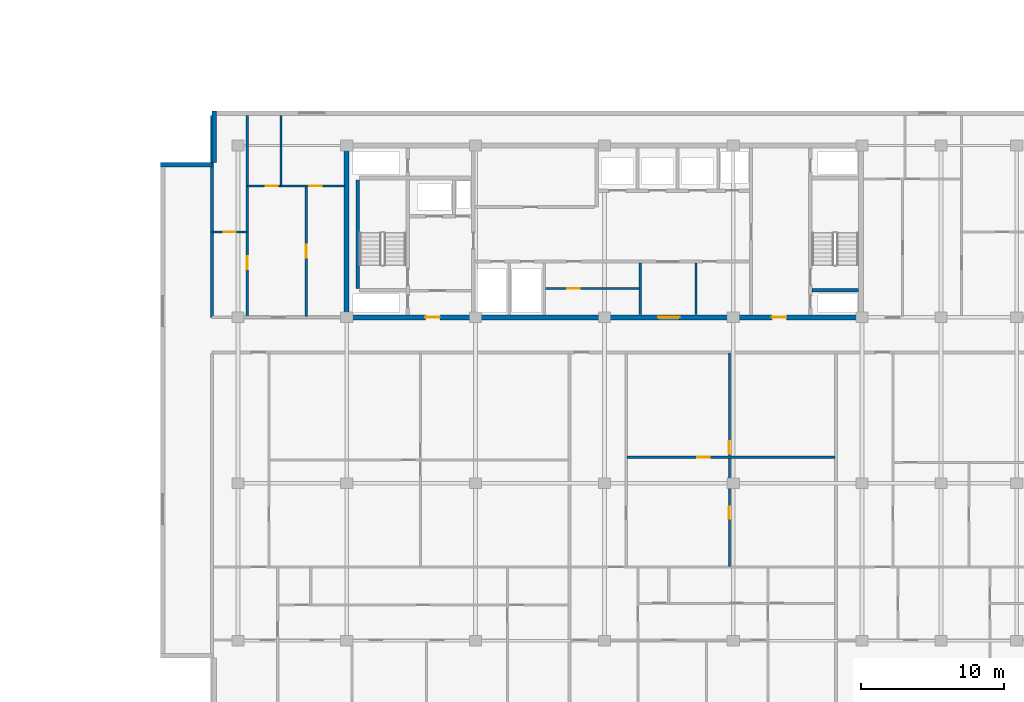
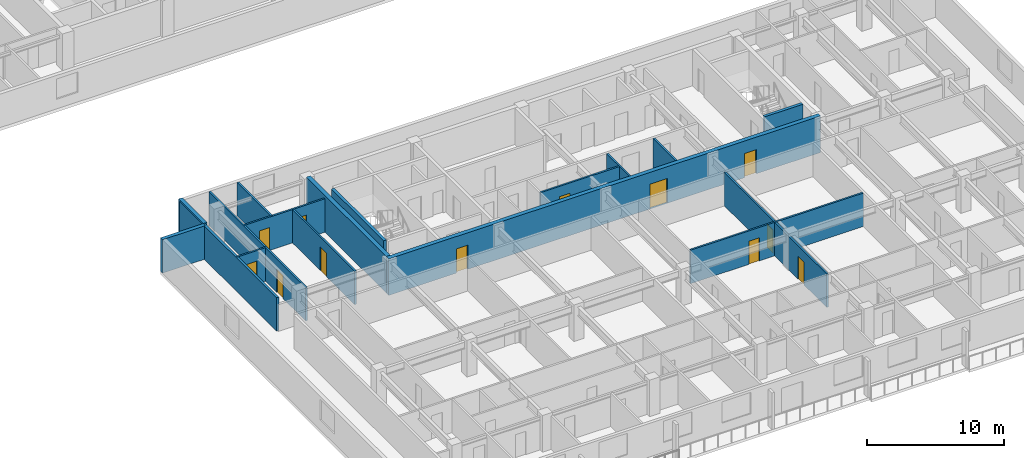
# One storey, part 6 of 22: 17 walls, 12 doors, 12 openings.
"""IFC4 building model written with IfcOpenShell, lengths in metres."""

import ifcopenshell
import ifcopenshell.guid

model = None  # the IFC model being written
_history = None  # IfcOwnerHistory: only IFC2X3 demands one
_inside = {}  # id of a spatial element -> (the spatial element, [elements in it])
_under = {}  # id of a project, library or spatial element -> (it, [spatial elements below it])
_declared = {}  # id of a project -> (the project, [libraries it declares])
_typed = {}  # id of a type object -> (the type object, [elements of that type])
_made_of = {}  # id of a material, layer set ... -> (it, [elements and type objects made of it])


def new_model(schema):
    """Start an empty IFC model of exactly this schema.

    Asked for "IFC4X3", IfcOpenShell would pick the latest addendum, in which some entities
    have other attributes; the version numbers below select the first issue.
    IFC2X3 requires an IfcOwnerHistory on every rooted entity: one is made here for all.
    """
    global model, _history
    if schema == "IFC4X3":
        model = ifcopenshell.file(schema_version=(4, 3, 0, 0))
    else:
        model = ifcopenshell.file(schema=schema)
    _inside.clear()
    _under.clear()
    _declared.clear()
    _typed.clear()
    _made_of.clear()
    _history = None
    if model.schema == "IFC2X3":
        org = make("IfcOrganization", Name="unknown")
        user = make(
            "IfcPersonAndOrganization",
            ThePerson=make("IfcPerson", FamilyName="unknown"),
            TheOrganization=org,
        )
        app = make(
            "IfcApplication",
            ApplicationDeveloper=org,
            Version="unknown",
            ApplicationFullName="unknown",
            ApplicationIdentifier="unknown",
        )
        _history = make(
            "IfcOwnerHistory",
            OwningUser=user,
            OwningApplication=app,
            ChangeAction="ADDED",
            CreationDate=0,
        )
    return model


def make(cls, **values):
    """One entity of the class cls with the attributes given. An attribute that is None is left unset."""
    return model.create_entity(
        cls, **{name: value for name, value in values.items() if value is not None}
    )


def rooted(cls, **values):
    """An entity with a GlobalId (a new one), such as an element, a storey or a relation."""
    return make(cls, GlobalId=ifcopenshell.guid.new(), OwnerHistory=_history, **values)


def si_unit(unit_type, name, prefix=None):
    """IfcSIUnit, for example si_unit("LENGTHUNIT", "METRE", prefix="MILLI")."""
    return make("IfcSIUnit", UnitType=unit_type, Prefix=prefix, Name=name)


def assignment(units):
    """IfcUnitAssignment: the units of a project."""
    return None if units is None else make("IfcUnitAssignment", Units=units)


def point(xyz):
    """IfcCartesianPoint."""
    return None if xyz is None else make("IfcCartesianPoint", Coordinates=xyz)


def direction(xyz):
    """IfcDirection."""
    return None if xyz is None else make("IfcDirection", DirectionRatios=xyz)


def frame(location, z_axis=None, x_axis=None):
    """IfcAxis2Placement3D, a coordinate frame: its origin and axes. An axis left out is left unset."""
    return make(
        "IfcAxis2Placement3D",
        Location=point(location),
        Axis=direction(z_axis),
        RefDirection=direction(x_axis),
    )


def frame_2d(location, x_axis=None):
    """IfcAxis2Placement2D, a coordinate frame in the plane: its origin and x axis."""
    return make(
        "IfcAxis2Placement2D", Location=point(location), RefDirection=direction(x_axis)
    )


def origin():
    """The frame at (0, 0, 0) with its axes left unset."""
    return frame((0.0, 0.0, 0.0))


def place(relative_to, where):
    """IfcLocalPlacement: puts the frame where relative to a parent placement (None: the world)."""
    return make(
        "IfcLocalPlacement", PlacementRelTo=relative_to, RelativePlacement=where
    )


def context(
    kind, dimensions, precision=None, world=None, true_north=None, identifier=None
):
    """IfcGeometricRepresentationContext, for example the 3D "Model" context."""
    return make(
        "IfcGeometricRepresentationContext",
        ContextIdentifier=identifier,
        ContextType=kind,
        CoordinateSpaceDimension=dimensions,
        Precision=precision,
        WorldCoordinateSystem=world,
        TrueNorth=true_north,
    )


def subcontext(parent, identifier, kind, view, scale=None):
    """IfcGeometricRepresentationSubContext, for example "Body" below "Model"."""
    return make(
        "IfcGeometricRepresentationSubContext",
        ContextIdentifier=identifier,
        ContextType=kind,
        ParentContext=parent,
        TargetScale=scale,
        TargetView=view,
    )


def project(units=None, contexts=None):
    """IfcProject with its units and contexts."""
    return rooted(
        "IfcProject",
        Name="project",
        RepresentationContexts=contexts,
        UnitsInContext=assignment(units),
    )


def spatial(cls, under=None, at=None, **own):
    """A site, building, storey or space (cls), placed at a placement, below another one or the project."""
    s = rooted(cls, ObjectPlacement=at, **own)
    if under is not None:
        _under.setdefault(under.id(), (under, []))[1].append(s)
    return s


def profile(cls, at=None, kind="AREA", **sizes):
    """A parametric profile (cls). Its sizes go by their IFC names, for example OverallWidth=200.0."""
    return make(cls, ProfileType=kind, Position=at, **sizes)


def rectangle(**sizes):
    """IfcRectangleProfileDef."""
    return profile("IfcRectangleProfileDef", **sizes)


def extrude(swept, where, along, depth):
    """IfcExtrudedAreaSolid: the profile swept, set in the frame where, extruded along a direction by depth."""
    return make(
        "IfcExtrudedAreaSolid",
        SweptArea=swept,
        Position=where,
        ExtrudedDirection=direction(along),
        Depth=depth,
    )


def shape(context_of_items, identifier, shape_type, items):
    """IfcShapeRepresentation: the items that make up one representation, for example the "Body"."""
    return make(
        "IfcShapeRepresentation",
        ContextOfItems=context_of_items,
        RepresentationIdentifier=identifier,
        RepresentationType=shape_type,
        Items=items,
    )


def material(Name=None, Category=None):
    """IfcMaterial."""
    return make("IfcMaterial", Name=Name, Category=Category)


def layer(
    of_material, thickness, ventilated=None, Name=None, Category=None, Priority=None
):
    """IfcMaterialLayer: one layer of a wall or slab, of a material (None: an air gap)."""
    return make(
        "IfcMaterialLayer",
        Material=of_material,
        LayerThickness=thickness,
        IsVentilated=ventilated,
        Name=Name,
        Category=Category,
        Priority=Priority,
    )


def layer_set(layers, Name=None):
    """IfcMaterialLayerSet."""
    return make("IfcMaterialLayerSet", MaterialLayers=layers, LayerSetName=Name)


def made_of(thing, what):
    """Note that an element or type object is made of a material, layer set ...; save() writes the relation."""
    if what is not None:
        _made_of.setdefault(what.id(), (what, []))[1].append(thing)
    return thing


def type_object(cls, material=None, **own):
    """A type object (cls), such as IfcWallType, which elements share."""
    return made_of(rooted(cls, **own), material)


def element(
    cls,
    number,
    at=None,
    inside=None,
    cuts=None,
    type_object=None,
    material=None,
    context=None,
    identifier="Body",
    shape_type=None,
    held_by="IfcProductDefinitionShape",
    body=None,
    shapes=None,
    **own,
):
    """One element of the class cls, such as IfcWall. Its Tag is "e" and its number.

    at: its placement. inside: the storey or other place that contains it. cuts: it is an
    opening in that element (IfcRelVoidsElement). A single representation is given by context,
    identifier, shape_type and body (its items); several are given by shapes. held_by: the class
    of the entity that holds the representations. save() writes the other relations.
    """
    e = rooted(cls, Tag="e%d" % number, ObjectPlacement=at, **own)
    if body is not None:
        shapes = [shape(context, identifier, shape_type, body)]
    if shapes is not None:
        e.Representation = make(held_by, Representations=shapes)
    if inside is not None:
        _inside.setdefault(inside.id(), (inside, []))[1].append(e)
    if cuts is not None:
        rooted(
            "IfcRelVoidsElement", RelatingBuildingElement=cuts, RelatedOpeningElement=e
        )
    if type_object is not None:
        _typed.setdefault(type_object.id(), (type_object, []))[1].append(e)
    return made_of(e, material)


def fill(opening, filler):
    """IfcRelFillsElement: the door or window that sits in an opening."""
    return rooted(
        "IfcRelFillsElement",
        RelatingOpeningElement=opening,
        RelatedBuildingElement=filler,
    )


def aggregate(whole, parts):
    """IfcRelAggregates: a whole, such as a stair, and the parts it consists of."""
    return rooted("IfcRelAggregates", RelatingObject=whole, RelatedObjects=parts)


def save(model, path):
    """Write the relations noted so far, then the file.

    IfcRelAggregates (storeys below a building ...), IfcRelContainedInSpatialStructure (elements
    in a storey), IfcRelDefinesByType, IfcRelAssociatesMaterial and IfcRelDeclares: one each for
    every whole, place, type object, material and project.
    """
    for whole, parts in _under.values():
        aggregate(whole, parts)
    for where, things in _inside.values():
        rooted(
            "IfcRelContainedInSpatialStructure",
            RelatedElements=things,
            RelatingStructure=where,
        )
    for kind, things in _typed.values():
        rooted("IfcRelDefinesByType", RelatedObjects=things, RelatingType=kind)
    for what, things in _made_of.values():
        rooted("IfcRelAssociatesMaterial", RelatedObjects=things, RelatingMaterial=what)
    for by, libraries in _declared.values():
        rooted("IfcRelDeclares", RelatingContext=by, RelatedDefinitions=libraries)
    model.write(path)


model = new_model("IFC4")

# Units and contexts
model_context = context("Model", 3, precision=1e-05, world=origin(), true_north=direction((0.0, 1.0)))
body_context = subcontext(model_context, "Body", "Model", "MODEL_VIEW")
ifc_project = project(units=[si_unit("LENGTHUNIT", "METRE"), si_unit("AREAUNIT", "SQUARE_METRE"), si_unit("VOLUMEUNIT", "CUBIC_METRE"), si_unit("PLANEANGLEUNIT", "RADIAN"), si_unit("MASSUNIT", "GRAM", prefix="KILO")], contexts=[model_context])

# Site, building, storey
site_placement = place(None, origin())
site = spatial("IfcSite", under=ifc_project, at=site_placement, CompositionType="ELEMENT")
building_placement = place(site_placement, origin())
building = spatial("IfcBuilding", under=site, at=building_placement, Name="Korimba Cascade Residences", CompositionType="ELEMENT")
storey_placement = place(building_placement, frame((0.0, 0.0, 129.550048828125)))
storey = spatial("IfcBuildingStorey", under=building, at=storey_placement, Name="L37", CompositionType="ELEMENT", Elevation=129.550048828125)

# Walls
ifc_material_1 = material(Name="Precast concrete C40/50", Category="concrete")
ifc_layer_1 = layer(ifc_material_1, 0.300048828125)
ifc_layer_set_1 = layer_set([ifc_layer_1], Name="Precast concrete C40/50")
wall_type_1 = type_object("IfcWallType", Name="EW-STONE-300", PredefinedType="STANDARD", material=ifc_layer_set_1)
wall_1_placement = place(storey_placement, frame((72.85009765625, 32.800048828125, 0.0), z_axis=(0.0, 0.0, 1.0), x_axis=(0.0, -1.0, 0.0)))
element("IfcWall", 1, at=wall_1_placement, inside=storey, type_object=wall_type_1, Name="L37 T2 Perimeter Stone Wall E07", PredefinedType="STANDARD", context=body_context, shape_type="SweptSolid", body=[
    extrude(rectangle(XDim=3.60009765625, YDim=0.300048828125, at=frame_2d((1.800048828125, 0.0))), origin(), (0.0, 0.0, 1.0), 2.969970703125),
])
wall_2_placement = place(storey_placement, frame((72.699951171875, 29.050048828125, 0.0), z_axis=(0.0, 0.0, 1.0), x_axis=(-1.0, 0.0, 0.0)))
element("IfcWall", 2, at=wall_2_placement, inside=storey, type_object=wall_type_1, Name="L37 T2 Perimeter Stone Wall E08", PredefinedType="STANDARD", context=body_context, shape_type="SweptSolid", body=[
    extrude(rectangle(XDim=3.599853515625, YDim=0.300048828125, at=frame_2d((1.7998046875, 0.0))), origin(), (0.0, 0.0, 1.0), 2.969970703125),
])
ifc_material_2 = material(Name="Concrete C65/80", Category="concrete")
ifc_layer_2 = layer(ifc_material_2, 0.35009765625)
ifc_layer_set_2 = layer_set([ifc_layer_2], Name="Concrete C65/80")
wall_type_2 = type_object("IfcWallType", Name="WAL-CORE-350", PredefinedType="SHEAR", material=ifc_layer_set_2)
wall_3_placement = place(storey_placement, frame((82.10009765625, 18.574951171875, 0.0), z_axis=(0.0, 0.0, 1.0), x_axis=(0.0, 1.0, 0.0)))
element("IfcWall", 3, at=wall_3_placement, inside=storey, type_object=wall_type_2, Name="L37 Core Shear Wall CW-L37-T2-W", PredefinedType="SHEAR", context=body_context, shape_type="SweptSolid", body=[
    extrude(rectangle(XDim=11.650146484375, YDim=0.35009765625, at=frame_2d((5.8251953125, 0.0))), origin(), (0.0, 0.0, 1.0), 3.25),
])

# Wall, openings, doors
wall_4_placement = place(storey_placement, frame((81.925048828125, 18.39990234375, 0.0), z_axis=(0.0, 0.0, 1.0), x_axis=(1.0, 0.0, 0.0)))
wall_4 = element("IfcWall", 4, at=wall_4_placement, inside=storey, type_object=wall_type_2, Name="L37 Core Shear Wall CW-L37-T2-S", PredefinedType="SHEAR", context=body_context, shape_type="SweptSolid", body=[
    extrude(rectangle(XDim=36.264892578125, YDim=0.35009765625, at=frame_2d((18.13232421875, 0.0))), origin(), (0.0, 0.0, 1.0), 3.25),
])
opening_1_placement = place(wall_4_placement, frame((5.675048828125, 0.0, 0.0)))
opening_1 = element("IfcOpeningElement", 5, at=opening_1_placement, cuts=wall_4, Name="Opening D-FD5", PredefinedType="OPENING", context=body_context, shape_type="SweptSolid", body=[
    extrude(rectangle(XDim=1.0, YDim=2.14990234375, at=frame_2d((0.5, 1.074951171875))), frame((0.0, 0.18505859375, 0.0), z_axis=(0.0, -1.0, 0.0), x_axis=(1.0, 0.0, 0.0)), (0.0, 0.0, 1.0), 0.3701171875),
])
opening_2_placement = place(wall_4_placement, frame((21.925048828125, 0.0, 0.0)))
opening_2 = element("IfcOpeningElement", 6, at=opening_2_placement, cuts=wall_4, Name="Opening D-FD8", PredefinedType="OPENING", context=body_context, shape_type="SweptSolid", body=[
    extrude(rectangle(XDim=1.5, YDim=2.199951171875, at=frame_2d((0.75, 1.10009765625))), frame((0.0, 0.18505859375, 0.0), z_axis=(0.0, -1.0, 0.0), x_axis=(1.0, 0.0, 0.0)), (0.0, 0.0, 1.0), 0.3701171875),
])
opening_3_placement = place(wall_4_placement, frame((29.875, 0.0, 0.0)))
opening_3 = element("IfcOpeningElement", 7, at=opening_3_placement, cuts=wall_4, Name="Opening D-FD5", PredefinedType="OPENING", context=body_context, shape_type="SweptSolid", body=[
    extrude(rectangle(XDim=1.0, YDim=2.14990234375, at=frame_2d((0.5, 1.074951171875))), frame((0.0, 0.18505859375, 0.0), z_axis=(0.0, -1.0, 0.0), x_axis=(1.0, 0.0, 0.0)), (0.0, 0.0, 1.0), 0.3701171875),
])
ifc_material_3 = material(Name="Fire-Rated Acoustic Timber Vestibule Door", Category="wood")
door_type_1 = type_object("IfcDoorType", Name="DR-FD90-1000", OperationType="NOTDEFINED", PredefinedType="DOOR", material=ifc_material_3)
door_1_placement = place(opening_1_placement, origin())
door_1 = element("IfcDoor", 8, at=door_1_placement, inside=storey, type_object=door_type_1, Name="L37 T2 West Core Vestibule Fire Door", OperationType="SINGLE_SWING_RIGHT", OverallHeight=2.14990234375, OverallWidth=1.0, PredefinedType="DOOR", context=body_context, shape_type="SweptSolid", body=[
    extrude(rectangle(XDim=1.0, YDim=2.14990234375, at=frame_2d((0.5, 1.074951171875))), frame((0.0, 0.02490234375, 0.0), z_axis=(0.0, -1.0, 0.0), x_axis=(1.0, 0.0, 0.0)), (0.0, 0.0, 1.0), 0.050048828125),
])
fill(opening_1, door_1)
door_2_placement = place(opening_3_placement, origin())
door_2 = element("IfcDoor", 9, at=door_2_placement, inside=storey, type_object=door_type_1, Name="L37 T2 East Stair Vestibule Fire Door", OperationType="SINGLE_SWING_LEFT", OverallHeight=2.14990234375, OverallWidth=1.0, PredefinedType="DOOR", context=body_context, shape_type="SweptSolid", body=[
    extrude(rectangle(XDim=1.0, YDim=2.14990234375, at=frame_2d((0.5, 1.074951171875))), frame((0.0, 0.02490234375, 0.0), z_axis=(0.0, -1.0, 0.0), x_axis=(1.0, 0.0, 0.0)), (0.0, 0.0, 1.0), 0.050048828125),
])
fill(opening_3, door_2)
ifc_material_4 = material(Name="Fire-Rated Glazed Lift Lobby Double Door", Category="glass")
door_type_2 = type_object("IfcDoorType", Name="DR-FD90-1500", OperationType="NOTDEFINED", PredefinedType="DOOR", material=ifc_material_4)
door_3_placement = place(opening_2_placement, origin())
door_3 = element("IfcDoor", 10, at=door_3_placement, inside=storey, type_object=door_type_2, Name="L37 T2 Lift Lobby Fire Door", OperationType="DOUBLE_DOOR_SINGLE_SWING", OverallHeight=2.199951171875, OverallWidth=1.5, PredefinedType="DOOR", context=body_context, shape_type="SweptSolid", body=[
    extrude(rectangle(XDim=1.5, YDim=2.199951171875, at=frame_2d((0.75, 1.10009765625))), frame((0.0, 0.02490234375, 0.0), z_axis=(0.0, -1.0, 0.0), x_axis=(1.0, 0.0, 0.0)), (0.0, 0.0, 1.0), 0.050048828125),
])
fill(opening_2, door_3)

# Wall
ifc_layer_3 = layer(ifc_material_1, 0.199951171875)
ifc_layer_set_3 = layer_set([ifc_layer_3], Name="Precast concrete C40/50")
wall_type_3 = type_object("IfcWallType", Name="WAL-IT-200", PredefinedType="PARTITIONING", material=ifc_layer_set_3)
wall_5_placement = place(storey_placement, frame((72.699951171875, 18.39990234375, 0.0), z_axis=(0.0, 0.0, 1.0), x_axis=(0.0, 1.0, 0.0)))
element("IfcWall", 11, at=wall_5_placement, inside=storey, type_object=wall_type_3, Name="L37 Partition Wall WAL-L37-T2-FW-WL", PredefinedType="PARTITIONING", context=body_context, shape_type="SweptSolid", body=[
    extrude(rectangle(XDim=14.10009765625, YDim=0.199951171875, at=frame_2d((7.050048828125, 0.0))), origin(), (0.0, 0.0, 1.0), 2.969970703125),
])

# Wall, opening, door
ifc_material_5 = material(Name="Insulated Acoustic Stud Partition", Category="gypsum")
ifc_layer_4 = layer(ifc_material_5, 0.14990234375)
ifc_layer_set_4 = layer_set([ifc_layer_4], Name="Insulated Acoustic Stud Partition")
wall_type_4 = type_object("IfcWallType", Name="WAL-PART-150", PredefinedType="PARTITIONING", material=ifc_layer_set_4)
wall_6_placement = place(storey_placement, frame((95.89990234375, 20.39990234375, 0.0), z_axis=(0.0, 0.0, 1.0), x_axis=(1.0, 0.0, 0.0)))
wall_6 = element("IfcWall", 12, at=wall_6_placement, inside=storey, type_object=wall_type_4, Name="L37 Partition Wall CW-L37-T2-CA2HZ", PredefinedType="PARTITIONING", context=body_context, shape_type="SweptSolid", body=[
    extrude(rectangle(XDim=6.7001953125, YDim=0.14990234375, at=frame_2d((3.35009765625, 0.0))), origin(), (0.0, 0.0, 1.0), 2.969970703125),
])
opening_4_placement = place(wall_6_placement, frame((1.60009765625, 0.0, 0.0)))
opening_4 = element("IfcOpeningElement", 13, at=opening_4_placement, cuts=wall_6, Name="Opening D-IN2", PredefinedType="OPENING", context=body_context, shape_type="SweptSolid", body=[
    extrude(rectangle(XDim=0.8798828125, YDim=2.06005859375, at=frame_2d((0.43994140625, 1.030029296875))), frame((0.0, 0.0849609375, 0.0), z_axis=(0.0, -1.0, 0.0), x_axis=(1.0, 0.0, 0.0)), (0.0, 0.0, 1.0), 0.169921875),
])
ifc_material_6 = material(Name="Acoustic Timber Bedroom Door", Category="wood")
door_type_3 = type_object("IfcDoorType", Name="DR-INT-880", OperationType="NOTDEFINED", PredefinedType="DOOR", material=ifc_material_6)
door_4_placement = place(opening_4_placement, origin())
door_4 = element("IfcDoor", 14, at=door_4_placement, inside=storey, type_object=door_type_3, Name="L37 T2 Pram Store Door", OperationType="SINGLE_SWING_RIGHT", OverallHeight=2.06005859375, OverallWidth=0.8798828125, PredefinedType="DOOR", context=body_context, shape_type="SweptSolid", body=[
    extrude(rectangle(XDim=0.8798828125, YDim=2.06005859375, at=frame_2d((0.43994140625, 1.030029296875))), frame((0.0, 0.02490234375, 0.0), z_axis=(0.0, -1.0, 0.0), x_axis=(1.0, 0.0, 0.0)), (0.0, 0.0, 1.0), 0.050048828125),
])
fill(opening_4, door_4)

# Walls
for number, where, z_axis, x_axis, name in (
    (15, (102.60009765625, 18.60009765625, 0.0), (0.0, 0.0, 1.0), (0.0, 1.0, 0.0), "L37 Partition Wall CW-L37-T2-THW"),
    (16, (106.5, 18.60009765625, 0.0), (0.0, 0.0, 1.0), (0.0, 1.0, 0.0), "L37 Partition Wall CW-L37-T2-THE"),
):
    element("IfcWall", number, at=place(storey_placement, frame(where, z_axis=z_axis, x_axis=x_axis)), inside=storey, type_object=wall_type_4, Name=name, PredefinedType="PARTITIONING", context=body_context, shape_type="SweptSolid", body=[
        extrude(rectangle(XDim=3.599853515625, YDim=0.14990234375, at=frame_2d((1.7998046875, 0.0))), origin(), (0.0, 0.0, 1.0), 2.969970703125),
    ])

# Wall, opening, door
wall_7_placement = place(storey_placement, frame((72.699951171875, 24.35009765625, 0.0), z_axis=(0.0, 0.0, 1.0), x_axis=(1.0, 0.0, 0.0)))
wall_7 = element("IfcWall", 17, at=wall_7_placement, inside=storey, type_object=wall_type_4, Name="L37 Partition Wall WAL-L37-T2-FW-STH", PredefinedType="PARTITIONING", context=body_context, shape_type="SweptSolid", body=[
    extrude(rectangle(XDim=2.449951171875, YDim=0.14990234375, at=frame_2d((1.22509765625, 0.0))), origin(), (0.0, 0.0, 1.0), 2.969970703125),
])
opening_5_placement = place(wall_7_placement, frame((0.804931640625, 0.0, 0.0)))
opening_5 = element("IfcOpeningElement", 18, at=opening_5_placement, cuts=wall_7, Name="Opening D-BT1", PredefinedType="OPENING", context=body_context, shape_type="SweptSolid", body=[
    extrude(rectangle(XDim=0.840087890625, YDim=2.0400390625, at=frame_2d((0.419921875, 1.02001953125))), frame((0.0, 0.0849609375, 0.0), z_axis=(0.0, -1.0, 0.0), x_axis=(1.0, 0.0, 0.0)), (0.0, 0.0, 1.0), 0.169921875),
])
ifc_material_7 = material(Name="Moisture-Resistant Bathroom Timber Door", Category="wood")
door_type_4 = type_object("IfcDoorType", Name="DR-INT-850", OperationType="NOTDEFINED", PredefinedType="DOOR", material=ifc_material_7)
door_5_placement = place(opening_5_placement, origin())
door_5 = element("IfcDoor", 19, at=door_5_placement, inside=storey, type_object=door_type_4, Name="L37-T2-FW Dressing Store Door", OperationType="SINGLE_SWING_LEFT", OverallHeight=2.0400390625, OverallWidth=0.840087890625, PredefinedType="DOOR", context=body_context, shape_type="SweptSolid", body=[
    extrude(rectangle(XDim=0.840087890625, YDim=2.0400390625, at=frame_2d((0.419921875, 1.02001953125))), frame((0.0, 0.02490234375, 0.0), z_axis=(0.0, -1.0, 0.0), x_axis=(1.0, 0.0, 0.0)), (0.0, 0.0, 1.0), 0.050048828125),
])
fill(opening_5, door_5)

wall_8_placement = place(storey_placement, frame((75.14990234375, 18.449951171875, 0.0), z_axis=(0.0, 0.0, 1.0), x_axis=(0.0, 1.0, 0.0)))
wall_8 = element("IfcWall", 20, at=wall_8_placement, inside=storey, type_object=wall_type_4, Name="L37 Partition Wall WAL-L37-T2-FW-STV", PredefinedType="PARTITIONING", context=body_context, shape_type="SweptSolid", body=[
    extrude(rectangle(XDim=14.050048828125, YDim=0.14990234375, at=frame_2d((7.02490234375, 0.0))), origin(), (0.0, 0.0, 1.0), 2.969970703125),
])
opening_6_placement = place(wall_8_placement, frame((3.320068359375, 0.0, 0.0)))
opening_6 = element("IfcOpeningElement", 21, at=opening_6_placement, cuts=wall_8, Name="Opening D-IN2", PredefinedType="OPENING", context=body_context, shape_type="SweptSolid", body=[
    extrude(rectangle(XDim=0.8798828125, YDim=2.06005859375, at=frame_2d((0.43994140625, 1.030029296875))), frame((0.0, 0.0849609375, 0.0), z_axis=(0.0, -1.0, 0.0), x_axis=(1.0, 0.0, 0.0)), (0.0, 0.0, 1.0), 0.169921875),
])
door_6_placement = place(opening_6_placement, origin())
door_6 = element("IfcDoor", 22, at=door_6_placement, inside=storey, type_object=door_type_3, Name="L37-T2-FW Study Door", OperationType="SINGLE_SWING_RIGHT", OverallHeight=2.06005859375, OverallWidth=0.8798828125, PredefinedType="DOOR", context=body_context, shape_type="SweptSolid", body=[
    extrude(rectangle(XDim=0.8798828125, YDim=2.06005859375, at=frame_2d((0.43994140625, 1.030029296875))), frame((0.0, 0.02490234375, 0.0), z_axis=(0.0, -1.0, 0.0), x_axis=(1.0, 0.0, 0.0)), (0.0, 0.0, 1.0), 0.050048828125),
])
fill(opening_6, door_6)

wall_9_placement = place(storey_placement, frame((79.27001953125, 18.449951171875, 0.0), z_axis=(0.0, 0.0, 1.0), x_axis=(0.0, 1.0, 0.0)))
wall_9 = element("IfcWall", 23, at=wall_9_placement, inside=storey, type_object=wall_type_4, Name="L37 Partition Wall WAL-L37-T2-FW-VS", PredefinedType="PARTITIONING", context=body_context, shape_type="SweptSolid", body=[
    extrude(rectangle(XDim=9.1201171875, YDim=0.14990234375, at=frame_2d((4.56005859375, 0.0))), origin(), (0.0, 0.0, 1.0), 2.969970703125),
])
opening_7_placement = place(wall_9_placement, frame((4.10009765625, 0.0, 0.0)))
opening_7 = element("IfcOpeningElement", 24, at=opening_7_placement, cuts=wall_9, Name="Opening D-IN1", PredefinedType="OPENING", context=body_context, shape_type="SweptSolid", body=[
    extrude(rectangle(XDim=0.919921875, YDim=2.080078125, at=frame_2d((0.4599609375, 1.0400390625))), frame((0.0, 0.0849609375, 0.0), z_axis=(0.0, -1.0, 0.0), x_axis=(1.0, 0.0, 0.0)), (0.0, 0.0, 1.0), 0.169921875),
])
ifc_material_8 = material(Name="Acoustic Timber Living Door", Category="wood")
door_type_5 = type_object("IfcDoorType", Name="DR-INT-920", OperationType="NOTDEFINED", PredefinedType="DOOR", material=ifc_material_8)
door_7_placement = place(opening_7_placement, origin())
door_7 = element("IfcDoor", 25, at=door_7_placement, inside=storey, type_object=door_type_5, Name="L37-T2-FW Living Door", OperationType="SINGLE_SWING_LEFT", OverallHeight=2.080078125, OverallWidth=0.919921875, PredefinedType="DOOR", context=body_context, shape_type="SweptSolid", body=[
    extrude(rectangle(XDim=0.919921875, YDim=2.080078125, at=frame_2d((0.4599609375, 1.0400390625))), frame((0.0, 0.02490234375, 0.0), z_axis=(0.0, -1.0, 0.0), x_axis=(1.0, 0.0, 0.0)), (0.0, 0.0, 1.0), 0.050048828125),
])
fill(opening_7, door_7)

# Wall
wall_10_placement = place(storey_placement, frame((77.5, 27.570068359375, 0.0), z_axis=(0.0, 0.0, 1.0), x_axis=(0.0, 1.0, 0.0)))
element("IfcWall", 26, at=wall_10_placement, inside=storey, type_object=wall_type_4, Name="L37 Partition Wall WAL-L37-T2-FW-VN", PredefinedType="PARTITIONING", context=body_context, shape_type="SweptSolid", body=[
    extrude(rectangle(XDim=4.929931640625, YDim=0.14990234375, at=frame_2d((2.46484375, 0.0))), origin(), (0.0, 0.0, 1.0), 2.969970703125),
])

# Wall, openings, doors
wall_11_placement = place(storey_placement, frame((75.169921875, 27.570068359375, 0.0), z_axis=(0.0, 0.0, 1.0), x_axis=(1.0, 0.0, 0.0)))
wall_11 = element("IfcWall", 27, at=wall_11_placement, inside=storey, type_object=wall_type_4, Name="L37 Partition Wall WAL-L37-T2-FW-H", PredefinedType="PARTITIONING", context=body_context, shape_type="SweptSolid", body=[
    extrude(rectangle(XDim=6.760009765625, YDim=0.14990234375, at=frame_2d((3.3798828125, 0.0))), origin(), (0.0, 0.0, 1.0), 2.969970703125),
])
opening_8_placement = place(wall_11_placement, frame((1.266357421875, 0.0, 0.0)))
opening_8 = element("IfcOpeningElement", 28, at=opening_8_placement, cuts=wall_11, Name="Opening D-BT1", PredefinedType="OPENING", context=body_context, shape_type="SweptSolid", body=[
    extrude(rectangle(XDim=0.840087890625, YDim=2.0400390625, at=frame_2d((0.419921875, 1.02001953125))), frame((0.0, 0.0849609375, 0.0), z_axis=(0.0, -1.0, 0.0), x_axis=(1.0, 0.0, 0.0)), (0.0, 0.0, 1.0), 0.169921875),
])
opening_9_placement = place(wall_11_placement, frame((4.320068359375, 0.0, 0.0)))
opening_9 = element("IfcOpeningElement", 29, at=opening_9_placement, cuts=wall_11, Name="Opening D-IN2", PredefinedType="OPENING", context=body_context, shape_type="SweptSolid", body=[
    extrude(rectangle(XDim=0.8798828125, YDim=2.06005859375, at=frame_2d((0.43994140625, 1.030029296875))), frame((0.0, 0.0849609375, 0.0), z_axis=(0.0, -1.0, 0.0), x_axis=(1.0, 0.0, 0.0)), (0.0, 0.0, 1.0), 0.169921875),
])
door_8_placement = place(opening_8_placement, origin())
door_8 = element("IfcDoor", 30, at=door_8_placement, inside=storey, type_object=door_type_4, Name="L37-T2-FW Bathroom Door", OperationType="SINGLE_SWING_RIGHT", OverallHeight=2.0400390625, OverallWidth=0.840087890625, PredefinedType="DOOR", context=body_context, shape_type="SweptSolid", body=[
    extrude(rectangle(XDim=0.840087890625, YDim=2.0400390625, at=frame_2d((0.419921875, 1.02001953125))), frame((0.0, 0.02490234375, 0.0), z_axis=(0.0, -1.0, 0.0), x_axis=(1.0, 0.0, 0.0)), (0.0, 0.0, 1.0), 0.050048828125),
])
fill(opening_8, door_8)
door_9_placement = place(opening_9_placement, origin())
door_9 = element("IfcDoor", 31, at=door_9_placement, inside=storey, type_object=door_type_3, Name="L37-T2-FW Bedroom Door", OperationType="SINGLE_SWING_LEFT", OverallHeight=2.06005859375, OverallWidth=0.8798828125, PredefinedType="DOOR", context=body_context, shape_type="SweptSolid", body=[
    extrude(rectangle(XDim=0.8798828125, YDim=2.06005859375, at=frame_2d((0.43994140625, 1.030029296875))), frame((0.0, 0.02490234375, 0.0), z_axis=(0.0, -1.0, 0.0), x_axis=(1.0, 0.0, 0.0)), (0.0, 0.0, 1.0), 0.050048828125),
])
fill(opening_9, door_9)

wall_12_placement = place(storey_placement, frame((108.825439453125, 0.989990234375, 0.0), z_axis=(0.0, 0.0, 1.0), x_axis=(0.0, 1.0, 0.0)))
wall_12 = element("IfcWall", 32, at=wall_12_placement, inside=storey, type_object=wall_type_4, Name="L37 Partition Wall WAL-L37-T2-U02-FMV", PredefinedType="PARTITIONING", context=body_context, shape_type="SweptSolid", body=[
    extrude(rectangle(XDim=14.89990234375, YDim=0.14990234375, at=frame_2d((7.449951171875, 0.0))), origin(), (0.0, 0.0, 1.0), 2.969970703125),
])
opening_10_placement = place(wall_12_placement, frame((3.3212890625, 0.0, 0.0)))
opening_10 = element("IfcOpeningElement", 33, at=opening_10_placement, cuts=wall_12, Name="Opening D-BT1", PredefinedType="OPENING", context=body_context, shape_type="SweptSolid", body=[
    extrude(rectangle(XDim=0.840087890625, YDim=2.0400390625, at=frame_2d((0.419921875, 1.02001953125))), frame((0.0, 0.0849609375, 0.0), z_axis=(0.0, -1.0, 0.0), x_axis=(1.0, 0.0, 0.0)), (0.0, 0.0, 1.0), 0.169921875),
])
opening_11_placement = place(wall_12_placement, frame((7.8798828125, 0.0, 0.0)))
opening_11 = element("IfcOpeningElement", 34, at=opening_11_placement, cuts=wall_12, Name="Opening D-IN2", PredefinedType="OPENING", context=body_context, shape_type="SweptSolid", body=[
    extrude(rectangle(XDim=0.8798828125, YDim=2.06005859375, at=frame_2d((0.43994140625, 1.030029296875))), frame((0.0, 0.0849609375, 0.0), z_axis=(0.0, -1.0, 0.0), x_axis=(1.0, 0.0, 0.0)), (0.0, 0.0, 1.0), 0.169921875),
])
door_10_placement = place(opening_10_placement, origin())
door_10 = element("IfcDoor", 35, at=door_10_placement, inside=storey, type_object=door_type_4, Name="L37-T2-U02 Wardrobe Door", OperationType="SINGLE_SWING_LEFT", OverallHeight=2.0400390625, OverallWidth=0.840087890625, PredefinedType="DOOR", context=body_context, shape_type="SweptSolid", body=[
    extrude(rectangle(XDim=0.840087890625, YDim=2.0400390625, at=frame_2d((0.419921875, 1.02001953125))), frame((0.0, 0.02490234375, 0.0), z_axis=(0.0, -1.0, 0.0), x_axis=(1.0, 0.0, 0.0)), (0.0, 0.0, 1.0), 0.050048828125),
])
fill(opening_10, door_10)
door_11_placement = place(opening_11_placement, origin())
door_11 = element("IfcDoor", 36, at=door_11_placement, inside=storey, type_object=door_type_3, Name="L37-T2-U02 Music Lounge Door", OperationType="SINGLE_SWING_RIGHT", OverallHeight=2.06005859375, OverallWidth=0.8798828125, PredefinedType="DOOR", context=body_context, shape_type="SweptSolid", body=[
    extrude(rectangle(XDim=0.8798828125, YDim=2.06005859375, at=frame_2d((0.43994140625, 1.030029296875))), frame((0.0, 0.02490234375, 0.0), z_axis=(0.0, -1.0, 0.0), x_axis=(1.0, 0.0, 0.0)), (0.0, 0.0, 1.0), 0.050048828125),
])
fill(opening_11, door_11)

# Wall, opening, door
wall_13_placement = place(storey_placement, frame((101.6845703125, 8.6201171875, 0.0), z_axis=(0.0, 0.0, 1.0), x_axis=(1.0, 0.0, 0.0)))
wall_13 = element("IfcWall", 37, at=wall_13_placement, inside=storey, type_object=wall_type_4, Name="L37 Partition Wall WAL-L37-T2-U02-FMH", PredefinedType="PARTITIONING", context=body_context, shape_type="SweptSolid", body=[
    extrude(rectangle(XDim=14.521728515625, YDim=0.14990234375, at=frame_2d((7.2607421875, 0.0))), origin(), (0.0, 0.0, 1.0), 2.969970703125),
])
opening_12_placement = place(wall_13_placement, frame((4.902587890625, 0.0, 0.0)))
opening_12 = element("IfcOpeningElement", 38, at=opening_12_placement, cuts=wall_13, Name="Opening D-IN2", PredefinedType="OPENING", context=body_context, shape_type="SweptSolid", body=[
    extrude(rectangle(XDim=0.8798828125, YDim=2.06005859375, at=frame_2d((0.43994140625, 1.030029296875))), frame((0.0, 0.0849609375, 0.0), z_axis=(0.0, -1.0, 0.0), x_axis=(1.0, 0.0, 0.0)), (0.0, 0.0, 1.0), 0.169921875),
])
door_12_placement = place(opening_12_placement, origin())
door_12 = element("IfcDoor", 39, at=door_12_placement, inside=storey, type_object=door_type_3, Name="L37-T2-U02 Library Salon Door", OperationType="SINGLE_SWING_LEFT", OverallHeight=2.06005859375, OverallWidth=0.8798828125, PredefinedType="DOOR", context=body_context, shape_type="SweptSolid", body=[
    extrude(rectangle(XDim=0.8798828125, YDim=2.06005859375, at=frame_2d((0.43994140625, 1.030029296875))), frame((0.0, 0.02490234375, 0.0), z_axis=(0.0, -1.0, 0.0), x_axis=(1.0, 0.0, 0.0)), (0.0, 0.0, 1.0), 0.050048828125),
])
fill(opening_12, door_12)

# Walls
ifc_material_9 = material(Name="Concrete C50/60", Category="concrete")
ifc_layer_5 = layer(ifc_material_9, 0.25)
ifc_layer_set_5 = layer_set([ifc_layer_5], Name="Concrete C50/60")
wall_type_5 = type_object("IfcWallType", Name="WAL-SHAFT-250", PredefinedType="SHEAR", material=ifc_layer_set_5)
wall_14_placement = place(storey_placement, frame((82.875, 20.39990234375, 0.0), z_axis=(0.0, 0.0, 1.0), x_axis=(0.0, 1.0, 0.0)))
element("IfcWall", 40, at=wall_14_placement, inside=storey, type_object=wall_type_5, Name="L37 Core Shear Wall CW-L37-T2-STE1W", PredefinedType="SHEAR", context=body_context, shape_type="SweptSolid", body=[
    extrude(rectangle(XDim=7.60009765625, YDim=0.25, at=frame_2d((3.800048828125, 0.0))), origin(), (0.0, 0.0, 1.0), 3.25),
])
wall_15_placement = place(storey_placement, frame((114.60009765625, 20.27490234375, 0.0), z_axis=(0.0, 0.0, 1.0), x_axis=(1.0, 0.0, 0.0)))
element("IfcWall", 41, at=wall_15_placement, inside=storey, type_object=wall_type_5, Name="L37 Core Shear Wall CW-L37-T2-STE2S", PredefinedType="SHEAR", context=body_context, shape_type="SweptSolid", body=[
    extrude(rectangle(XDim=3.239990234375, YDim=0.25, at=frame_2d((1.6201171875, 0.0))), origin(), (0.0, 0.0, 1.0), 3.25),
])

save(model, "model.ifc")
